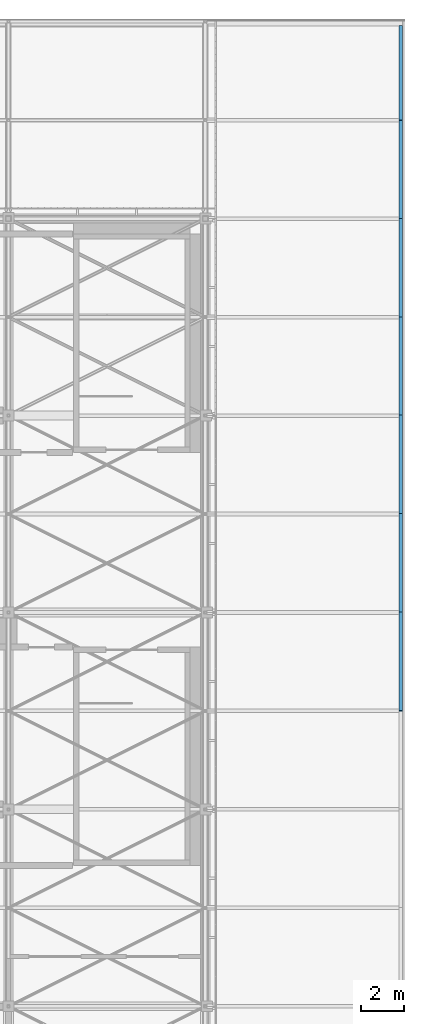
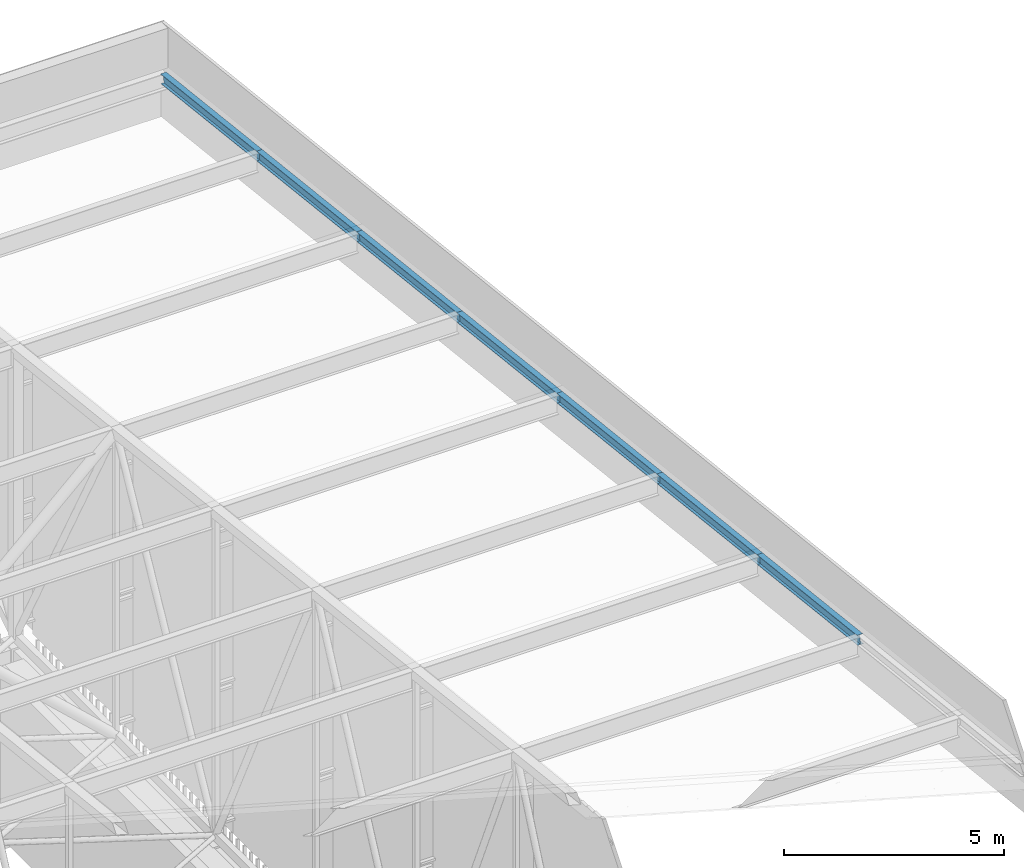
# One storey, part 410 of 500: 7 members.
"""IFC4 building model written with IfcOpenShell, lengths in metres."""

from ifc_helpers import new_model, si_unit, direction, frame, origin, origin_2d, place, context, subcontext, project, spatial, i_section, extrude, material, material_profile, profile_set, type_object, element, save


model = new_model("IFC4")

# Units and contexts
model_context = context("Model", 3, precision=1e-05, world=origin(), true_north=direction((0.0, 1.0)))
body_context = subcontext(model_context, "Body", "Model", "MODEL_VIEW")
ifc_project = project(units=[si_unit("LENGTHUNIT", "METRE"), si_unit("AREAUNIT", "SQUARE_METRE"), si_unit("VOLUMEUNIT", "CUBIC_METRE"), si_unit("PLANEANGLEUNIT", "RADIAN"), si_unit("MASSUNIT", "GRAM", prefix="KILO")], contexts=[model_context])

# Site, building, storey
site_placement = place(None, origin())
site = spatial("IfcSite", under=ifc_project, at=site_placement, CompositionType="ELEMENT")
building_placement = place(site_placement, origin())
building = spatial("IfcBuilding", under=site, at=building_placement, Name="Shirokan Park Arena", CompositionType="ELEMENT")
storey_placement = place(building_placement, frame((0.0, 0.0, 29.1201171875)))
storey = spatial("IfcBuildingStorey", under=building, at=storey_placement, Name="L06", CompositionType="ELEMENT", Elevation=29.1201171875)

# Members
ifc_material = material(Name="Steel ASTM A992", Category="steel")
ifc_material_profile = material_profile(ifc_material, i_section(OverallWidth=0.14794921875, OverallDepth=0.26708984375, WebThickness=0.007568359375, FlangeThickness=0.012939453125, at=origin_2d()), Name="W250X44.8")
ifc_profile_set = profile_set([ifc_material_profile], Name="Steel ASTM A992")
member_type = type_object("IfcMemberType", Name="Roof edge beam W250X44.8", PredefinedType="USERDEFINED", material=ifc_profile_set)
for number, where, z_axis, x_axis, name in (
    (1, (154.6259765625, 86.449951171875, 15.21630859375), (0.0, 0.993532328996, -0.113549598152), (-1.0, 0.0, 0.0), "Roof edge beam E 22"),
    (2, (154.6259765625, 91.0, 14.6962890625), (0.0, 0.993532328996, -0.113549598152), (-1.0, 0.0, 0.0), "Roof edge beam E 23"),
    (3, (154.6259765625, 95.550048828125, 14.17626953125), (0.0, 0.993538341779, -0.113496975353), (-1.0, 0.0, 0.0), "Roof edge beam E 24"),
):
    element("IfcMember", number, at=place(storey_placement, frame(where, z_axis=z_axis, x_axis=x_axis)), inside=storey, type_object=member_type, Name=name, ObjectType="ROOF EDGE BEAM", PredefinedType="USERDEFINED", context=body_context, shape_type="SweptSolid", body=[
        extrude(i_section(OverallWidth=0.14794921875, OverallDepth=0.26708984375, WebThickness=0.007568359375, FlangeThickness=0.012939453125, at=origin_2d()), origin(), (0.0, 0.0, 1.0), 4.57958984375),
    ])
member_1_placement = place(storey_placement, frame((154.6259765625, 100.10009765625, 13.656494140625), z_axis=(0.0, 0.993531641592, -0.11355561261), x_axis=(-1.0, 0.0, 0.0)))
element("IfcMember", 4, at=member_1_placement, inside=storey, type_object=member_type, Name="Roof edge beam E 25", ObjectType="ROOF EDGE BEAM", PredefinedType="USERDEFINED", context=body_context, shape_type="SweptSolid", body=[
    extrude(i_section(OverallWidth=0.14794921875, OverallDepth=0.26708984375, WebThickness=0.007568359375, FlangeThickness=0.012939453125, at=origin_2d()), origin(), (0.0, 0.0, 1.0), 4.579345703125),
])
for number, where, z_axis, x_axis, name in (
    (5, (154.6259765625, 104.64990234375, 13.136474609375), (0.0, 0.993532328996, -0.113549598152), (-1.0, 0.0, 0.0), "Roof edge beam E 26"),
    (6, (154.6259765625, 109.199951171875, 12.616455078125), (0.0, 0.993532328996, -0.113549598152), (-1.0, 0.0, 0.0), "Roof edge beam E 27"),
):
    element("IfcMember", number, at=place(storey_placement, frame(where, z_axis=z_axis, x_axis=x_axis)), inside=storey, type_object=member_type, Name=name, ObjectType="ROOF EDGE BEAM", PredefinedType="USERDEFINED", context=body_context, shape_type="SweptSolid", body=[
        extrude(i_section(OverallWidth=0.14794921875, OverallDepth=0.26708984375, WebThickness=0.007568359375, FlangeThickness=0.012939453125, at=origin_2d()), origin(), (0.0, 0.0, 1.0), 4.57958984375),
    ])
member_2_placement = place(storey_placement, frame((154.6259765625, 113.75, 12.096435546875), z_axis=(0.0, 0.993529264308, -0.113576410242), x_axis=(-1.0, 0.0, 0.0)))
element("IfcMember", 7, at=member_2_placement, inside=storey, type_object=member_type, Name="Roof edge beam E 28", ObjectType="ROOF EDGE BEAM", PredefinedType="USERDEFINED", context=body_context, shape_type="SweptSolid", body=[
    extrude(i_section(OverallWidth=0.14794921875, OverallDepth=0.26708984375, WebThickness=0.007568359375, FlangeThickness=0.012939453125, at=origin_2d()), origin(), (0.0, 0.0, 1.0), 4.38720703125),
])

save(model, "model.ifc")
